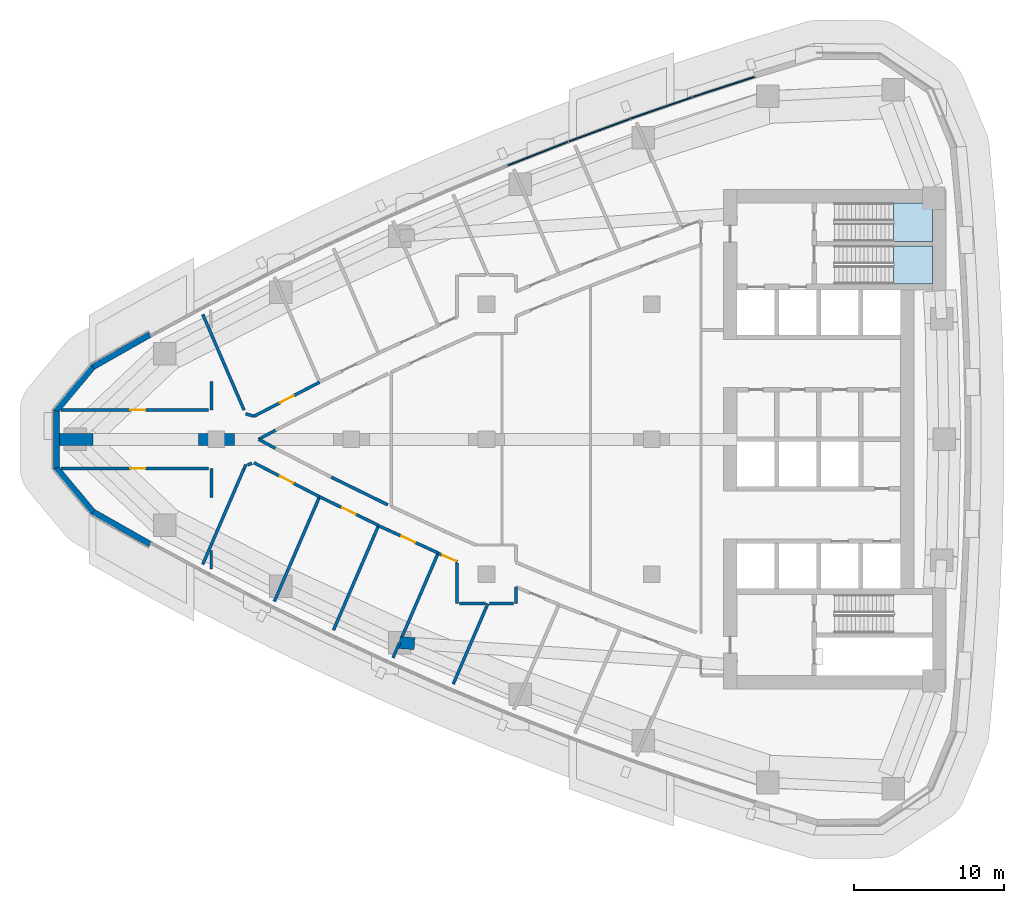
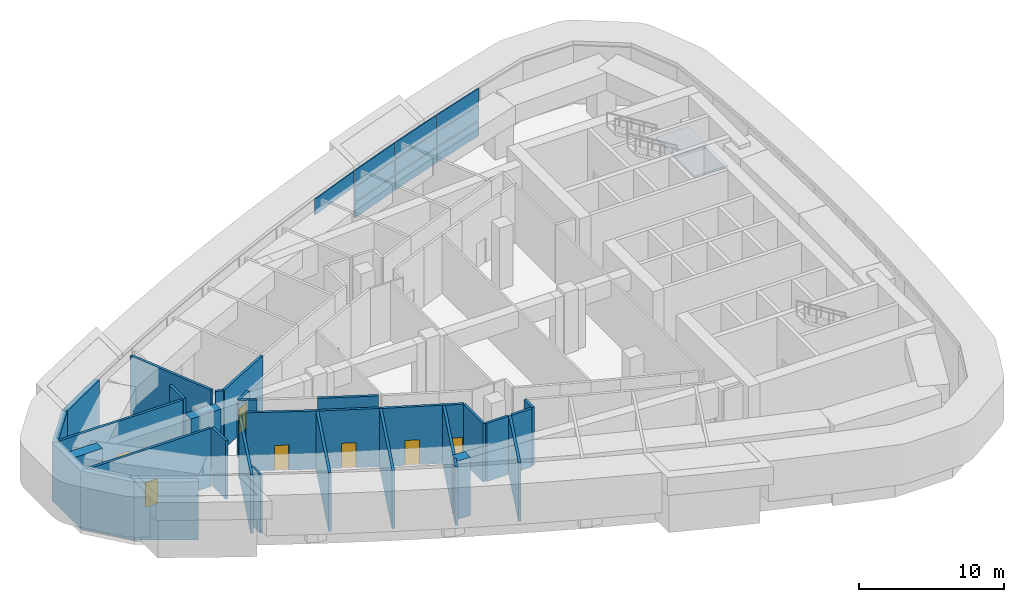
# One storey, part 10 of 18: 35 walls, 10 plates, 7 doors, 2 slabs, 7 openings, 4 elements without a shape of their own.
"""IFC4 building model written with IfcOpenShell, lengths in metres."""

from ifc_helpers import new_model, si_unit, direction, frame, frame_2d, origin, origin_2d, place, context, subcontext, project, spatial, polyline, rectangle, outline, extrude, material, layer, layer_set, type_object, element, fill, aggregate, save


model = new_model("IFC4")

# Units and contexts
model_context = context("Model", 3, precision=1e-05, world=origin(), true_north=direction((0.0, 1.0)))
body_context = subcontext(model_context, "Body", "Model", "MODEL_VIEW")
ifc_project = project(units=[si_unit("LENGTHUNIT", "METRE"), si_unit("AREAUNIT", "SQUARE_METRE"), si_unit("VOLUMEUNIT", "CUBIC_METRE"), si_unit("PLANEANGLEUNIT", "RADIAN"), si_unit("MASSUNIT", "GRAM", prefix="KILO")], contexts=[model_context])

# Site, building, storey
site_placement = place(None, origin())
site = spatial("IfcSite", under=ifc_project, at=site_placement, CompositionType="ELEMENT")
building_placement = place(site_placement, origin())
building = spatial("IfcBuilding", under=site, at=building_placement, Name="Ostrand Prow Hotel Tower", CompositionType="ELEMENT")
storey_placement = place(building_placement, frame((0.0, 0.0, 165.699951171875)))
storey = spatial("IfcBuildingStorey", under=building, at=storey_placement, Name="L41", CompositionType="ELEMENT", Elevation=165.699951171875)

# Curtain wall, plates
ifc_material_1 = material(Name="Insulated glass in bronze anodised frame", Category="glass")
ifc_layer_1 = layer(ifc_material_1, 0.199951171875)
ifc_layer_set_1 = layer_set([ifc_layer_1], Name="Insulated glass in bronze anodised frame")
curtain_wall_type = type_object("IfcCurtainWallType", Name="Plant storey louvre wall", PredefinedType="NOTDEFINED", material=ifc_layer_set_1)
curtain_wall_1_placement = place(storey_placement, origin())
curtain_wall_1 = element("IfcCurtainWall", 1, at=curtain_wall_1_placement, inside=storey, type_object=curtain_wall_type, Name="CW7 run CWN1", PredefinedType="NOTDEFINED")
ifc_material_2 = material(Name="Bronze anodised aluminium louvre", Category="aluminium")
ifc_layer_2 = layer(ifc_material_2, 0.10009765625)
ifc_layer_set_2 = layer_set([ifc_layer_2], Name="Bronze anodised aluminium louvre")
plate_type = type_object("IfcPlateType", Name="Bronze louvre panel 100 mm", PredefinedType="CURTAIN_PANEL", material=ifc_layer_set_2)
plate_1_placement = place(storey_placement, frame((49.803466796875, 23.483154296875, 0.89990234375), z_axis=(0.0, 0.0, 1.0), x_axis=(-0.950938332153, -0.309380491373, 0.0)))
plate_1 = element("IfcPlate", 2, at=plate_1_placement, type_object=plate_type, Name="CW7 PN-V panel 1.1", PredefinedType="CURTAIN_PANEL", context=body_context, shape_type="SweptSolid", body=[
    extrude(rectangle(XDim=4.326171875, YDim=0.10009765625, at=origin_2d()), origin(), (0.0, 0.0, 1.0), 1.239990234375),
])
plate_2_placement = place(storey_placement, frame((49.803466796875, 23.483154296875, 2.26025390625), z_axis=(0.0, 0.0, 1.0), x_axis=(-0.950938332153, -0.309380491373, 0.0)))
plate_2 = element("IfcPlate", 3, at=plate_2_placement, type_object=plate_type, Name="CW7 PN-V panel 1.2", PredefinedType="CURTAIN_PANEL", context=body_context, shape_type="SweptSolid", body=[
    extrude(rectangle(XDim=4.326171875, YDim=0.10009765625, at=origin_2d()), origin(), (0.0, 0.0, 1.0), 1.179931640625),
])
plate_3_placement = place(storey_placement, frame((49.803466796875, 23.483154296875, 3.56005859375), z_axis=(0.0, 0.0, 1.0), x_axis=(-0.950938332153, -0.309380491373, 0.0)))
plate_3 = element("IfcPlate", 4, at=plate_3_placement, type_object=plate_type, Name="CW7 PN-V panel 1.3", PredefinedType="CURTAIN_PANEL", context=body_context, shape_type="SweptSolid", body=[
    extrude(rectangle(XDim=4.326171875, YDim=0.10009765625, at=origin_2d()), origin(), (0.0, 0.0, 1.0), 1.340087890625),
])
plate_4_placement = place(storey_placement, frame((45.646484375, 22.08447265625, 0.89990234375), z_axis=(0.0, 0.0, 1.0), x_axis=(-0.944528947293, -0.328428177424, 0.0)))
plate_4 = element("IfcPlate", 5, at=plate_4_placement, type_object=plate_type, Name="CW7 PN-V panel 2.1", PredefinedType="CURTAIN_PANEL", context=body_context, shape_type="SweptSolid", body=[
    extrude(rectangle(XDim=4.326171875, YDim=0.10009765625, at=origin_2d()), origin(), (0.0, 0.0, 1.0), 1.239990234375),
])
plate_5_placement = place(storey_placement, frame((45.646484375, 22.08447265625, 2.26025390625), z_axis=(0.0, 0.0, 1.0), x_axis=(-0.944528947293, -0.328428177424, 0.0)))
plate_5 = element("IfcPlate", 6, at=plate_5_placement, type_object=plate_type, Name="CW7 PN-V panel 2.2", PredefinedType="CURTAIN_PANEL", context=body_context, shape_type="SweptSolid", body=[
    extrude(rectangle(XDim=4.326171875, YDim=0.10009765625, at=origin_2d()), origin(), (0.0, 0.0, 1.0), 1.179931640625),
])
plate_6_placement = place(storey_placement, frame((45.646484375, 22.08447265625, 3.56005859375), z_axis=(0.0, 0.0, 1.0), x_axis=(-0.944528947293, -0.328428177424, 0.0)))
plate_6 = element("IfcPlate", 7, at=plate_6_placement, type_object=plate_type, Name="CW7 PN-V panel 2.3", PredefinedType="CURTAIN_PANEL", context=body_context, shape_type="SweptSolid", body=[
    extrude(rectangle(XDim=4.326171875, YDim=0.10009765625, at=origin_2d()), origin(), (0.0, 0.0, 1.0), 1.340087890625),
])
aggregate(curtain_wall_1, [plate_1, plate_2, plate_3, plate_4, plate_5, plate_6])

curtain_wall_2_placement = place(storey_placement, origin())
curtain_wall_2 = element("IfcCurtainWall", 8, at=curtain_wall_2_placement, inside=storey, type_object=curtain_wall_type, Name="CW7 run CWN2", PredefinedType="NOTDEFINED")
plate_7_placement = place(storey_placement, frame((41.518798828125, 20.6025390625, 0.89990234375), z_axis=(0.0, 0.0, 1.0), x_axis=(-0.937738678558, -0.347341576459, 0.0)))
plate_7 = element("IfcPlate", 9, at=plate_7_placement, type_object=plate_type, Name="CW7 PN-V panel 1.1", PredefinedType="CURTAIN_PANEL", context=body_context, shape_type="SweptSolid", body=[
    extrude(rectangle(XDim=4.326171875, YDim=0.10009765625, at=origin_2d()), origin(), (0.0, 0.0, 1.0), 1.239990234375),
])
plate_8_placement = place(storey_placement, frame((41.518798828125, 20.6025390625, 2.26025390625), z_axis=(0.0, 0.0, 1.0), x_axis=(-0.937738678558, -0.347341576459, 0.0)))
plate_8 = element("IfcPlate", 10, at=plate_8_placement, type_object=plate_type, Name="CW7 PN-V panel 1.2", PredefinedType="CURTAIN_PANEL", context=body_context, shape_type="SweptSolid", body=[
    extrude(rectangle(XDim=4.326171875, YDim=0.10009765625, at=origin_2d()), origin(), (0.0, 0.0, 1.0), 1.179931640625),
])
plate_9_placement = place(storey_placement, frame((41.518798828125, 20.6025390625, 3.56005859375), z_axis=(0.0, 0.0, 1.0), x_axis=(-0.937738678558, -0.347341576459, 0.0)))
plate_9 = element("IfcPlate", 11, at=plate_9_placement, type_object=plate_type, Name="CW7 PN-V panel 1.3", PredefinedType="CURTAIN_PANEL", context=body_context, shape_type="SweptSolid", body=[
    extrude(rectangle(XDim=4.326171875, YDim=0.10009765625, at=origin_2d()), origin(), (0.0, 0.0, 1.0), 1.340087890625),
])
plate_10_placement = place(storey_placement, frame((37.42138671875, 19.037841796875, 3.56005859375), z_axis=(0.0, 0.0, 1.0), x_axis=(-0.930569089059, -0.366116334636, 0.0)))
plate_10 = element("IfcPlate", 12, at=plate_10_placement, type_object=plate_type, Name="CW7 PN-V panel 2.3", PredefinedType="CURTAIN_PANEL", context=body_context, shape_type="SweptSolid", body=[
    extrude(rectangle(XDim=4.326171875, YDim=0.10009765625, at=origin_2d()), origin(), (0.0, 0.0, 1.0), 1.340087890625),
])
aggregate(curtain_wall_2, [plate_7, plate_8, plate_9, plate_10])

# Stair, slab
ifc_material_3 = material(Name="Concrete C40/50", Category="concrete")
stair_type = type_object("IfcStairType", Name="Exit stair 1200 upper zone", PredefinedType="HALF_TURN_STAIR", material=ifc_material_3)
stair_1_placement = place(storey_placement, origin())
stair_1 = element("IfcStair", 13, at=stair_1_placement, inside=storey, type_object=stair_type, Name="L41 ST1C", PredefinedType="HALF_TURN_STAIR")
ifc_material_4 = material(Name="Concrete C40/50", Category="concrete")
ifc_layer_3 = layer(ifc_material_4, 0.199951171875)
ifc_layer_set_3 = layer_set([ifc_layer_3], Name="Concrete C40/50")
slab_type = type_object("IfcSlabType", Name="Stair landing 200 concrete", PredefinedType="LANDING", material=ifc_layer_set_3)
slab_1_placement = place(storey_placement, frame((0.0, 0.0, 2.400146484375)))
slab_1 = element("IfcSlab", 14, at=slab_1_placement, type_object=slab_type, Name="ST1C landing 1", PredefinedType="LANDING", context=body_context, shape_type="SweptSolid", body=[
    extrude(outline(polyline([(61.1201171875, 10.35009765625), (63.719970703125, 10.35009765625), (63.719970703125, 12.89990234375), (61.1201171875, 12.89990234375), (61.1201171875, 10.35009765625)])), origin(), (0.0, 0.0, 1.0), 0.199951171875),
])
aggregate(stair_1, [slab_1])

stair_2_placement = place(storey_placement, origin())
stair_2 = element("IfcStair", 15, at=stair_2_placement, inside=storey, type_object=stair_type, Name="L41 ST3C", PredefinedType="HALF_TURN_STAIR")
slab_2_placement = place(storey_placement, frame((0.0, 0.0, 2.400146484375)))
slab_2 = element("IfcSlab", 16, at=slab_2_placement, type_object=slab_type, Name="ST3C landing 1", PredefinedType="LANDING", context=body_context, shape_type="SweptSolid", body=[
    extrude(outline(polyline([(61.1201171875, 13.199951171875), (63.719970703125, 13.199951171875), (63.719970703125, 15.75), (61.1201171875, 15.75), (61.1201171875, 13.199951171875)])), origin(), (0.0, 0.0, 1.0), 0.199951171875),
])
aggregate(stair_2, [slab_2])

# Walls
ifc_material_5 = material(Name="Concrete C70/85", Category="concrete")
ifc_layer_4 = layer(ifc_material_5, 0.800048828125)
ifc_layer_set_4 = layer_set([ifc_layer_4], Name="Concrete C70/85")
wall_type_1 = type_object("IfcWallType", Name="Outrigger wall 800 C70/85", PredefinedType="SHEAR", material=ifc_layer_set_4)
wall_1_placement = place(storey_placement, frame((5.380126953125, 0.0, 0.0), z_axis=(0.0, 0.0, 1.0), x_axis=(1.0, 0.0, 0.0)))
element("IfcWall", 17, at=wall_1_placement, inside=storey, type_object=wall_type_1, Name="Outrigger wall A1", PredefinedType="SHEAR", context=body_context, shape_type="SweptSolid", body=[
    extrude(rectangle(XDim=2.400146484375, YDim=0.800048828125, at=frame_2d((1.2001953125, 0.0))), origin(), (0.0, 0.0, 1.0), 4.900146484375),
])
wall_2_placement = place(storey_placement, frame((14.800048828125, 0.0, 0.0), z_axis=(0.0, 0.0, 1.0), x_axis=(1.0, 0.0, 0.0)))
element("IfcWall", 18, at=wall_2_placement, inside=storey, type_object=wall_type_1, Name="Outrigger wall A2", PredefinedType="SHEAR", context=body_context, shape_type="SweptSolid", body=[
    extrude(rectangle(XDim=2.39990234375, YDim=0.800048828125, at=frame_2d((1.199951171875, 0.0))), origin(), (0.0, 0.0, 1.0), 4.900146484375),
])
wall_3_placement = place(storey_placement, frame((29.202880859375, -13.61328125, 0.0), z_axis=(0.0, 0.0, 1.0), x_axis=(-0.99780886022, 0.066162515566, 0.0)))
element("IfcWall", 19, at=wall_3_placement, inside=storey, type_object=wall_type_1, Name="Outrigger wall DS2", PredefinedType="SHEAR", context=body_context, shape_type="SweptSolid", body=[
    extrude(rectangle(XDim=1.0, YDim=0.800048828125, at=frame_2d((0.5, 0.0))), origin(), (0.0, 0.0, 1.0), 4.900146484375),
])
ifc_material_6 = material(Name="Plasterboard partition")
ifc_layer_5 = layer(ifc_material_6, 0.14990234375)
ifc_layer_set_5 = layer_set([ifc_layer_5], Name="Plasterboard partition")
wall_type_2 = type_object("IfcWallType", Name="Partition 150 room partition", PredefinedType="PARTITIONING", material=ifc_layer_set_5)
wall_4_placement = place(storey_placement, frame((15.65869140625, -7.4169921875, 0.0), z_axis=(0.0, 0.0, 1.0), x_axis=(0.0, -1.0, 0.0)))
element("IfcWall", 20, at=wall_4_placement, inside=storey, type_object=wall_type_2, Name="ROOM PARTITION", PredefinedType="PARTITIONING", context=body_context, shape_type="SweptSolid", body=[
    extrude(rectangle(XDim=1.2216796875, YDim=0.14990234375, at=frame_2d((0.61083984375, 0.0))), origin(), (0.0, 0.0, 1.0), 4.900146484375),
])

# Wall, opening, door
ifc_material_7 = material(Name="Plasterboard partition")
ifc_layer_6 = layer(ifc_material_7, 0.199951171875)
ifc_layer_set_6 = layer_set([ifc_layer_6], Name="Plasterboard partition")
wall_type_3 = type_object("IfcWallType", Name="Partition 200 corridor wall", PredefinedType="PARTITIONING", material=ifc_layer_set_6)
wall_5_placement = place(storey_placement, frame((5.654296875, 1.949951171875, 0.0), z_axis=(0.0, 0.0, 1.0), x_axis=(1.0, 0.0, 0.0)))
wall_5 = element("IfcWall", 21, at=wall_5_placement, inside=storey, type_object=wall_type_3, Name="CORRIDOR WALL", PredefinedType="PARTITIONING", context=body_context, shape_type="SweptSolid", body=[
    extrude(rectangle(XDim=9.804443359375, YDim=0.199951171875, at=frame_2d((4.90234375, 0.0))), origin(), (0.0, 0.0, 1.0), 4.900146484375),
])
opening_1_placement = place(wall_5_placement, frame((4.618408203125, 0.0, 0.0)))
opening_1 = element("IfcOpeningElement", 22, at=opening_1_placement, cuts=wall_5, Name="Opening D1", PredefinedType="OPENING", context=body_context, shape_type="SweptSolid", body=[
    extrude(rectangle(XDim=1.0, YDim=2.10009765625, at=frame_2d((0.5, 1.050048828125))), frame((0.0, 0.10986328125, 0.0), z_axis=(0.0, -1.0, 0.0), x_axis=(1.0, 0.0, 0.0)), (0.0, 0.0, 1.0), 0.219970703125),
])
ifc_material_8 = material(Name="Timber door leaf", Category="wood")
door_type_1 = type_object("IfcDoorType", Name="Guest room door 1000", OperationType="SINGLE_SWING_LEFT", PredefinedType="DOOR", material=ifc_material_8)
door_1_placement = place(opening_1_placement, origin())
door_1 = element("IfcDoor", 23, at=door_1_placement, inside=storey, type_object=door_type_1, Name="DOOR", OperationType="SINGLE_SWING_LEFT", OverallHeight=2.10009765625, OverallWidth=1.0, PredefinedType="DOOR", context=body_context, shape_type="SweptSolid", body=[
    extrude(rectangle(XDim=1.0, YDim=2.10009765625, at=frame_2d((0.5, 1.050048828125))), frame((0.0, 0.02490234375, 0.0), z_axis=(0.0, -1.0, 0.0), x_axis=(1.0, 0.0, 0.0)), (0.0, 0.0, 1.0), 0.050048828125),
])
fill(opening_1, door_1)

wall_6_placement = place(storey_placement, frame((5.654296875, -1.949951171875, 0.0), z_axis=(0.0, 0.0, 1.0), x_axis=(1.0, 0.0, 0.0)))
wall_6 = element("IfcWall", 24, at=wall_6_placement, inside=storey, type_object=wall_type_3, Name="CORRIDOR WALL", PredefinedType="PARTITIONING", context=body_context, shape_type="SweptSolid", body=[
    extrude(rectangle(XDim=9.804443359375, YDim=0.199951171875, at=frame_2d((4.90234375, 0.0))), origin(), (0.0, 0.0, 1.0), 4.900146484375),
])
opening_2_placement = place(wall_6_placement, frame((4.618408203125, 0.0, 0.0)))
opening_2 = element("IfcOpeningElement", 25, at=opening_2_placement, cuts=wall_6, Name="Opening D1R", PredefinedType="OPENING", context=body_context, shape_type="SweptSolid", body=[
    extrude(rectangle(XDim=1.0, YDim=2.10009765625, at=frame_2d((0.5, 1.050048828125))), frame((0.0, 0.10986328125, 0.0), z_axis=(0.0, -1.0, 0.0), x_axis=(1.0, 0.0, 0.0)), (0.0, 0.0, 1.0), 0.219970703125),
])
ifc_material_9 = material(Name="Timber door leaf", Category="wood")
door_type_2 = type_object("IfcDoorType", Name="Guest room door 1000 right", OperationType="SINGLE_SWING_RIGHT", PredefinedType="DOOR", material=ifc_material_9)
door_2_placement = place(opening_2_placement, origin())
door_2 = element("IfcDoor", 26, at=door_2_placement, inside=storey, type_object=door_type_2, Name="DOOR", OperationType="SINGLE_SWING_RIGHT", OverallHeight=2.10009765625, OverallWidth=1.0, PredefinedType="DOOR", context=body_context, shape_type="SweptSolid", body=[
    extrude(rectangle(XDim=1.0, YDim=2.10009765625, at=frame_2d((0.5, 1.050048828125))), frame((0.0, 0.02490234375, 0.0), z_axis=(0.0, -1.0, 0.0), x_axis=(1.0, 0.0, 0.0)), (0.0, 0.0, 1.0), 0.050048828125),
])
fill(opening_2, door_2)

wall_7_placement = place(storey_placement, frame((18.5, 1.535400390625, 0.0), z_axis=(0.0, 0.0, 1.0), x_axis=(0.887595692798, 0.460623366891, 0.0)))
wall_7 = element("IfcWall", 27, at=wall_7_placement, inside=storey, type_object=wall_type_3, Name="CORRIDOR WALL", PredefinedType="PARTITIONING", context=body_context, shape_type="SweptSolid", body=[
    extrude(rectangle(XDim=4.933349609375, YDim=0.199951171875, at=frame_2d((2.466796875, 0.0))), origin(), (0.0, 0.0, 1.0), 4.900146484375),
])
opening_3_placement = place(wall_7_placement, frame((1.966796875, 0.0, 0.0)))
opening_3 = element("IfcOpeningElement", 28, at=opening_3_placement, cuts=wall_7, Name="Opening D1", PredefinedType="OPENING", context=body_context, shape_type="SweptSolid", body=[
    extrude(rectangle(XDim=1.0, YDim=2.10009765625, at=frame_2d((0.5, 1.050048828125))), frame((0.0, 0.10986328125, 0.0), z_axis=(0.0, -1.0, 0.0), x_axis=(1.0, 0.0, 0.0)), (0.0, 0.0, 1.0), 0.219970703125),
])
door_3_placement = place(opening_3_placement, origin())
door_3 = element("IfcDoor", 29, at=door_3_placement, inside=storey, type_object=door_type_1, Name="DOOR", OperationType="SINGLE_SWING_LEFT", OverallHeight=2.10009765625, OverallWidth=1.0, PredefinedType="DOOR", context=body_context, shape_type="SweptSolid", body=[
    extrude(rectangle(XDim=1.0, YDim=2.10009765625, at=frame_2d((0.5, 1.050048828125))), frame((0.0, 0.02490234375, 0.0), z_axis=(0.0, -1.0, 0.0), x_axis=(1.0, 0.0, 0.0)), (0.0, 0.0, 1.0), 0.050048828125),
])
fill(opening_3, door_3)

wall_8_placement = place(storey_placement, frame((18.5, -1.55810546875, 0.0), z_axis=(0.0, 0.0, 1.0), x_axis=(0.887623934434, -0.460568942744, 0.0)))
wall_8 = element("IfcWall", 30, at=wall_8_placement, inside=storey, type_object=wall_type_3, Name="CORRIDOR WALL", PredefinedType="PARTITIONING", context=body_context, shape_type="SweptSolid", body=[
    extrude(rectangle(XDim=4.924560546875, YDim=0.199951171875, at=frame_2d((2.46240234375, 0.0))), origin(), (0.0, 0.0, 1.0), 4.900146484375),
])
opening_4_placement = place(wall_8_placement, frame((1.962158203125, 0.0, 0.0)))
opening_4 = element("IfcOpeningElement", 31, at=opening_4_placement, cuts=wall_8, Name="Opening D1", PredefinedType="OPENING", context=body_context, shape_type="SweptSolid", body=[
    extrude(rectangle(XDim=1.0, YDim=2.10009765625, at=frame_2d((0.5, 1.050048828125))), frame((0.0, 0.10986328125, 0.0), z_axis=(0.0, -1.0, 0.0), x_axis=(1.0, 0.0, 0.0)), (0.0, 0.0, 1.0), 0.219970703125),
])
door_4_placement = place(opening_4_placement, origin())
door_4 = element("IfcDoor", 32, at=door_4_placement, inside=storey, type_object=door_type_1, Name="DOOR", OperationType="SINGLE_SWING_LEFT", OverallHeight=2.10009765625, OverallWidth=1.0, PredefinedType="DOOR", context=body_context, shape_type="SweptSolid", body=[
    extrude(rectangle(XDim=1.0, YDim=2.10009765625, at=frame_2d((0.5, 1.050048828125))), frame((0.0, 0.02490234375, 0.0), z_axis=(0.0, -1.0, 0.0), x_axis=(1.0, 0.0, 0.0)), (0.0, 0.0, 1.0), 0.050048828125),
])
fill(opening_4, door_4)

wall_9_placement = place(storey_placement, frame((22.87109375, -3.826171875, 0.0), z_axis=(0.0, 0.0, 1.0), x_axis=(0.899988502444, -0.435913633038, 0.0)))
wall_9 = element("IfcWall", 33, at=wall_9_placement, inside=storey, type_object=wall_type_3, Name="CORRIDOR WALL", PredefinedType="PARTITIONING", context=body_context, shape_type="SweptSolid", body=[
    extrude(rectangle(XDim=4.3779296875, YDim=0.199951171875, at=frame_2d((2.18896484375, 0.0))), origin(), (0.0, 0.0, 1.0), 4.900146484375),
])
opening_5_placement = place(wall_9_placement, frame((1.68896484375, 0.0, 0.0)))
opening_5 = element("IfcOpeningElement", 34, at=opening_5_placement, cuts=wall_9, Name="Opening D1R", PredefinedType="OPENING", context=body_context, shape_type="SweptSolid", body=[
    extrude(rectangle(XDim=1.0, YDim=2.10009765625, at=frame_2d((0.5, 1.050048828125))), frame((0.0, 0.10986328125, 0.0), z_axis=(0.0, -1.0, 0.0), x_axis=(1.0, 0.0, 0.0)), (0.0, 0.0, 1.0), 0.219970703125),
])
door_5_placement = place(opening_5_placement, origin())
door_5 = element("IfcDoor", 35, at=door_5_placement, inside=storey, type_object=door_type_2, Name="DOOR", OperationType="SINGLE_SWING_RIGHT", OverallHeight=2.10009765625, OverallWidth=1.0, PredefinedType="DOOR", context=body_context, shape_type="SweptSolid", body=[
    extrude(rectangle(XDim=1.0, YDim=2.10009765625, at=frame_2d((0.5, 1.050048828125))), frame((0.0, 0.02490234375, 0.0), z_axis=(0.0, -1.0, 0.0), x_axis=(1.0, 0.0, 0.0)), (0.0, 0.0, 1.0), 0.050048828125),
])
fill(opening_5, door_5)

wall_10_placement = place(storey_placement, frame((26.80322265625, -5.7529296875, 0.0), z_axis=(0.0, 0.0, 1.0), x_axis=(0.90910092787, -0.416575926987, 0.0)))
wall_10 = element("IfcWall", 36, at=wall_10_placement, inside=storey, type_object=wall_type_3, Name="CORRIDOR WALL", PredefinedType="PARTITIONING", context=body_context, shape_type="SweptSolid", body=[
    extrude(rectangle(XDim=4.375, YDim=0.199951171875, at=frame_2d((2.1875, 0.0))), origin(), (0.0, 0.0, 1.0), 4.900146484375),
])
opening_6_placement = place(wall_10_placement, frame((1.6875, 0.0, 0.0)))
opening_6 = element("IfcOpeningElement", 37, at=opening_6_placement, cuts=wall_10, Name="Opening D1", PredefinedType="OPENING", context=body_context, shape_type="SweptSolid", body=[
    extrude(rectangle(XDim=1.0, YDim=2.10009765625, at=frame_2d((0.5, 1.050048828125))), frame((0.0, 0.10986328125, 0.0), z_axis=(0.0, -1.0, 0.0), x_axis=(1.0, 0.0, 0.0)), (0.0, 0.0, 1.0), 0.219970703125),
])
door_6_placement = place(opening_6_placement, origin())
door_6 = element("IfcDoor", 38, at=door_6_placement, inside=storey, type_object=door_type_1, Name="DOOR", OperationType="SINGLE_SWING_LEFT", OverallHeight=2.10009765625, OverallWidth=1.0, PredefinedType="DOOR", context=body_context, shape_type="SweptSolid", body=[
    extrude(rectangle(XDim=1.0, YDim=2.10009765625, at=frame_2d((0.5, 1.050048828125))), frame((0.0, 0.02490234375, 0.0), z_axis=(0.0, -1.0, 0.0), x_axis=(1.0, 0.0, 0.0)), (0.0, 0.0, 1.0), 0.050048828125),
])
fill(opening_6, door_6)

wall_11_placement = place(storey_placement, frame((30.7724609375, -7.593994140625, 0.0), z_axis=(0.0, 0.0, 1.0), x_axis=(0.915155082005, -0.403101942293, 0.0)))
wall_11 = element("IfcWall", 39, at=wall_11_placement, inside=storey, type_object=wall_type_3, Name="CORRIDOR WALL", PredefinedType="PARTITIONING", context=body_context, shape_type="SweptSolid", body=[
    extrude(rectangle(XDim=1.39599609375, YDim=0.199951171875, at=frame_2d((0.697998046875, 0.0))), origin(), (0.0, 0.0, 1.0), 4.900146484375),
])
opening_7_placement = place(wall_11_placement, frame((0.300048828125, 0.0, 0.0)))
opening_7 = element("IfcOpeningElement", 40, at=opening_7_placement, cuts=wall_11, Name="Opening D1R", PredefinedType="OPENING", context=body_context, shape_type="SweptSolid", body=[
    extrude(rectangle(XDim=1.0, YDim=2.10009765625, at=frame_2d((0.5, 1.050048828125))), frame((0.0, 0.10986328125, 0.0), z_axis=(0.0, -1.0, 0.0), x_axis=(1.0, 0.0, 0.0)), (0.0, 0.0, 1.0), 0.219970703125),
])
door_7_placement = place(opening_7_placement, origin())
door_7 = element("IfcDoor", 41, at=door_7_placement, inside=storey, type_object=door_type_2, Name="DOOR", OperationType="SINGLE_SWING_RIGHT", OverallHeight=2.10009765625, OverallWidth=1.0, PredefinedType="DOOR", context=body_context, shape_type="SweptSolid", body=[
    extrude(rectangle(XDim=1.0, YDim=2.10009765625, at=frame_2d((0.5, 1.050048828125))), frame((0.0, 0.02490234375, 0.0), z_axis=(0.0, -1.0, 0.0), x_axis=(1.0, 0.0, 0.0)), (0.0, 0.0, 1.0), 0.050048828125),
])
fill(opening_7, door_7)

# Walls
wall_12_placement = place(storey_placement, frame((27.4267578125, -4.36669921875, 0.0), z_axis=(0.0, 0.0, 1.0), x_axis=(-0.898143384422, 0.43970269617, 0.0)))
element("IfcWall", 42, at=wall_12_placement, inside=storey, type_object=wall_type_3, Name="CORRIDOR WALL", PredefinedType="PARTITIONING", context=body_context, shape_type="SweptSolid", body=[
    extrude(rectangle(XDim=4.1953125, YDim=0.199951171875, at=frame_2d((2.09765625, 0.0))), origin(), (0.0, 0.0, 1.0), 4.900146484375),
])
for number, where, z_axis, x_axis, name in (
    (43, (19.928466796875, -0.60205078125, 0.0), (0.0, 0.0, 1.0), (-0.879832865766, 0.475283208538, 0.0), "CORRIDOR WALL"),
    (44, (18.81396484375, 0.0, 0.0), (0.0, 0.0, 1.0), (0.879832865766, 0.475283208538, 0.0), "CORRIDOR WALL"),
):
    element("IfcWall", number, at=place(storey_placement, frame(where, z_axis=z_axis, x_axis=x_axis)), inside=storey, type_object=wall_type_3, Name=name, PredefinedType="PARTITIONING", context=body_context, shape_type="SweptSolid", body=[
        extrude(rectangle(XDim=1.2666015625, YDim=0.199951171875, at=frame_2d((0.63330078125, 0.0))), origin(), (0.0, 0.0, 1.0), 4.900146484375),
    ])
wall_13_placement = place(storey_placement, frame((15.65869140625, 3.870849609375, 0.0), z_axis=(0.0, 0.0, 1.0), x_axis=(0.0, -1.0, 0.0)))
element("IfcWall", 45, at=wall_13_placement, inside=storey, type_object=wall_type_3, Name="CORRIDOR WALL", PredefinedType="PARTITIONING", context=body_context, shape_type="SweptSolid", body=[
    extrude(rectangle(XDim=1.915771484375, YDim=0.199951171875, at=frame_2d((0.9580078125, 0.0))), origin(), (0.0, 0.0, 1.0), 4.900146484375),
])
wall_14_placement = place(storey_placement, frame((15.65869140625, -1.955078125, 0.0), z_axis=(0.0, 0.0, 1.0), x_axis=(0.0, -1.0, 0.0)))
element("IfcWall", 46, at=wall_14_placement, inside=storey, type_object=wall_type_3, Name="CORRIDOR WALL", PredefinedType="PARTITIONING", context=body_context, shape_type="SweptSolid", body=[
    extrude(rectangle(XDim=1.921630859375, YDim=0.199951171875, at=frame_2d((0.9609375, 0.0))), origin(), (0.0, 0.0, 1.0), 4.900146484375),
])
wall_15_placement = place(storey_placement, frame((18.5, 1.535400390625, 0.0), z_axis=(0.0, 0.0, 1.0), x_axis=(-0.954783943837, 0.297300555989, 0.0)))
element("IfcWall", 47, at=wall_15_placement, inside=storey, type_object=wall_type_3, Name="CORRIDOR WALL", PredefinedType="PARTITIONING", context=body_context, shape_type="SweptSolid", body=[
    extrude(rectangle(XDim=0.57080078125, YDim=0.199951171875, at=frame_2d((0.285400390625, 0.0))), origin(), (0.0, 0.0, 1.0), 4.900146484375),
])
wall_16_placement = place(storey_placement, frame((17.84228515625, -1.949951171875, 0.0), z_axis=(0.0, 0.0, 1.0), x_axis=(0.417658437585, 0.908604110443, 0.0)))
element("IfcWall", 48, at=wall_16_placement, inside=storey, type_object=wall_type_3, Name="CORRIDOR WALL", PredefinedType="PARTITIONING", context=body_context, shape_type="SweptSolid", body=[
    extrude(rectangle(XDim=0.309814453125, YDim=0.199951171875, at=frame_2d((0.15478515625, 0.0))), origin(), (0.0, 0.0, 1.0), 4.900146484375),
])
wall_17_placement = place(storey_placement, frame((18.074951171875, -1.705078125, 0.0), z_axis=(0.0, 0.0, 1.0), x_axis=(0.944939525269, 0.327245005437, 0.0)))
element("IfcWall", 49, at=wall_17_placement, inside=storey, type_object=wall_type_3, Name="CORRIDOR WALL", PredefinedType="PARTITIONING", context=body_context, shape_type="SweptSolid", body=[
    extrude(rectangle(XDim=0.311767578125, YDim=0.199951171875, at=frame_2d((0.15576171875, 0.0))), origin(), (0.0, 0.0, 1.0), 4.900146484375),
])
wall_18_placement = place(storey_placement, frame((32.0498046875, -8.23681640625, 0.0), z_axis=(0.0, 0.0, 1.0), x_axis=(-0.001258086711, -0.999999208609, 0.0)))
element("IfcWall", 50, at=wall_18_placement, inside=storey, type_object=wall_type_3, Name="CORRIDOR WALL", PredefinedType="PARTITIONING", context=body_context, shape_type="SweptSolid", body=[
    extrude(rectangle(XDim=2.716796875, YDim=0.199951171875, at=frame_2d((1.3583984375, 0.0))), origin(), (0.0, 0.0, 1.0), 4.900146484375),
])
wall_19_placement = place(storey_placement, frame((35.952880859375, -10.9541015625, 0.0), z_axis=(0.0, 0.0, 1.0), x_axis=(-0.00262983969, 0.999996541966, 0.0)))
element("IfcWall", 51, at=wall_19_placement, inside=storey, type_object=wall_type_3, Name="CORRIDOR WALL", PredefinedType="PARTITIONING", context=body_context, shape_type="SweptSolid", body=[
    extrude(rectangle(XDim=1.114013671875, YDim=0.199951171875, at=frame_2d((0.55712890625, 0.0))), origin(), (0.0, 0.0, 1.0), 4.900146484375),
])
ifc_material_10 = material(Name="Plasterboard partition")
ifc_layer_7 = layer(ifc_material_10, 0.199951171875)
ifc_layer_set_7 = layer_set([ifc_layer_7], Name="Plasterboard partition")
wall_type_4 = type_object("IfcWallType", Name="Partition 200 key partition", PredefinedType="PARTITIONING", material=ifc_layer_set_7)
for number, where, z_axis, x_axis, name in (
    (52, (17.84228515625, 1.949951171875, 0.0), (0.0, 0.0, 1.0), (-0.39602548425, 0.918239519855, 0.0), "KEY PARTITION"),
    (53, (15.090087890625, -8.331298828125, 0.0), (0.0, 0.0, 1.0), (0.39602548425, 0.918239519855, 0.0), "KEY PARTITION"),
):
    element("IfcWall", number, at=place(storey_placement, frame(where, z_axis=z_axis, x_axis=x_axis)), inside=storey, type_object=wall_type_4, Name=name, PredefinedType="PARTITIONING", context=body_context, shape_type="SweptSolid", body=[
        extrude(rectangle(XDim=6.949462890625, YDim=0.199951171875, at=frame_2d((3.474609375, 0.0))), origin(), (0.0, 0.0, 1.0), 4.900146484375),
    ])
wall_20_placement = place(storey_placement, frame((19.864990234375, -10.796875, 0.0), z_axis=(0.0, 0.0, 1.0), x_axis=(0.395985583575, 0.918256727501, 0.0)))
element("IfcWall", 54, at=wall_20_placement, inside=storey, type_object=wall_type_4, Name="KEY PARTITION", PredefinedType="PARTITIONING", context=body_context, shape_type="SweptSolid", body=[
    extrude(rectangle(XDim=7.611083984375, YDim=0.199951171875, at=frame_2d((3.8056640625, 0.0))), origin(), (0.0, 0.0, 1.0), 4.900146484375),
])
wall_21_placement = place(storey_placement, frame((23.800537109375, -12.716064453125, 0.0), z_axis=(0.0, 0.0, 1.0), x_axis=(0.395995556294, 0.918252426839, 0.0)))
element("IfcWall", 55, at=wall_21_placement, inside=storey, type_object=wall_type_4, Name="KEY PARTITION", PredefinedType="PARTITIONING", context=body_context, shape_type="SweptSolid", body=[
    extrude(rectangle(XDim=7.60302734375, YDim=0.199951171875, at=frame_2d((3.801513671875, 0.0))), origin(), (0.0, 0.0, 1.0), 4.900146484375),
])
wall_22_placement = place(storey_placement, frame((27.770751953125, -14.554443359375, 0.0), z_axis=(0.0, 0.0, 1.0), x_axis=(0.395851994879, 0.918314324265, 0.0)))
element("IfcWall", 56, at=wall_22_placement, inside=storey, type_object=wall_type_4, Name="KEY PARTITION", PredefinedType="PARTITIONING", context=body_context, shape_type="SweptSolid", body=[
    extrude(rectangle(XDim=1.09716796875, YDim=0.199951171875, at=frame_2d((0.548583984375, 0.0))), origin(), (0.0, 0.0, 1.0), 4.900146484375),
])
wall_23_placement = place(storey_placement, frame((28.373291015625, -13.1572265625, 0.0), z_axis=(0.0, 0.0, 1.0), x_axis=(0.39600745092, 0.9182472972, 0.0)))
element("IfcWall", 57, at=wall_23_placement, inside=storey, type_object=wall_type_4, Name="KEY PARTITION", PredefinedType="PARTITIONING", context=body_context, shape_type="SweptSolid", body=[
    extrude(rectangle(XDim=6.078857421875, YDim=0.199951171875, at=frame_2d((3.03955078125, 0.0))), origin(), (0.0, 0.0, 1.0), 4.900146484375),
])
wall_24_placement = place(storey_placement, frame((31.778564453125, -16.3134765625, 0.0), z_axis=(0.0, 0.0, 1.0), x_axis=(0.395991607501, 0.918254129742, 0.0)))
element("IfcWall", 58, at=wall_24_placement, inside=storey, type_object=wall_type_4, Name="KEY PARTITION", PredefinedType="PARTITIONING", context=body_context, shape_type="SweptSolid", body=[
    extrude(rectangle(XDim=5.841064453125, YDim=0.199951171875, at=frame_2d((2.92041015625, 0.0))), origin(), (0.0, 0.0, 1.0), 4.900146484375),
])
wall_25_placement = place(storey_placement, frame((33.927490234375, -10.951904296875, 0.0), z_axis=(0.0, 0.0, 1.0), x_axis=(-0.999999512614, 0.000987305584, 0.0)))
element("IfcWall", 59, at=wall_25_placement, inside=storey, type_object=wall_type_4, Name="KEY PARTITION", PredefinedType="PARTITIONING", context=body_context, shape_type="SweptSolid", body=[
    extrude(rectangle(XDim=1.73095703125, YDim=0.199951171875, at=frame_2d((0.865478515625, 0.0))), origin(), (0.0, 0.0, 1.0), 4.900146484375),
])
wall_26_placement = place(storey_placement, frame((35.802734375, -10.95361328125, 0.0), z_axis=(0.0, 0.0, 1.0), x_axis=(-0.999999573702, 0.000923360641, 0.0)))
element("IfcWall", 60, at=wall_26_placement, inside=storey, type_object=wall_type_4, Name="KEY PARTITION", PredefinedType="PARTITIONING", context=body_context, shape_type="SweptSolid", body=[
    extrude(rectangle(XDim=1.58642578125, YDim=0.199951171875, at=frame_2d((0.793212890625, 0.0))), origin(), (0.0, 0.0, 1.0), 4.900146484375),
])
ifc_material_11 = material(Name="Precast concrete C40/50", Category="concrete")
ifc_layer_8 = layer(ifc_material_11, 0.39990234375)
ifc_layer_set_8 = layer_set([ifc_layer_8], Name="Precast concrete C40/50")
wall_type_5 = type_object("IfcWallType", Name="Stone-faced precast wall 400 mm", PredefinedType="NOTDEFINED", material=ifc_layer_set_8)
wall_27_placement = place(storey_placement, frame((11.594482421875, 6.996826171875, 0.0), z_axis=(0.0, 0.0, 1.0), x_axis=(-0.870045255208, -0.492971859125, 0.0)))
element("IfcWall", 61, at=wall_27_placement, inside=storey, type_object=wall_type_5, Name="Stone-faced wall prow 1", PredefinedType="NOTDEFINED", context=body_context, shape_type="SweptSolid", body=[
    extrude(outline(polyline([(0.0, -0.199951171875), (4.424072265625, -0.199951171875), (4.351806640625, 0.199951171875), (0.0, 0.199951171875), (0.0, -0.199951171875)])), origin(), (0.0, 0.0, 1.0), 4.900146484375),
])
wall_28_placement = place(storey_placement, frame((7.77685546875, 4.833740234375, 0.0), z_axis=(0.0, 0.0, 1.0), x_axis=(-0.641787918235, -0.766882173484, 0.0)))
element("IfcWall", 62, at=wall_28_placement, inside=storey, type_object=wall_type_5, Name="Stone-faced wall prow 2", PredefinedType="NOTDEFINED", context=body_context, shape_type="SweptSolid", body=[
    extrude(outline(polyline([(-0.0361328125, -0.199951171875), (3.887939453125, -0.199951171875), (3.742919921875, 0.199951171875), (0.0361328125, 0.199951171875), (-0.0361328125, -0.199951171875)])), origin(), (0.0, 0.0, 1.0), 4.900146484375),
])
wall_29_placement = place(storey_placement, frame((5.328125, 1.90771484375, 0.0), z_axis=(0.0, 0.0, 1.0), x_axis=(0.0, -1.0, 0.0)))
element("IfcWall", 63, at=wall_29_placement, inside=storey, type_object=wall_type_5, Name="Stone-faced wall prow 3", PredefinedType="NOTDEFINED", context=body_context, shape_type="SweptSolid", body=[
    extrude(outline(polyline([(-0.072509765625, -0.199951171875), (3.887939453125, -0.199951171875), (3.742919921875, 0.199951171875), (0.072509765625, 0.199951171875), (-0.072509765625, -0.199951171875)])), origin(), (0.0, 0.0, 1.0), 4.900146484375),
])
wall_30_placement = place(storey_placement, frame((5.328125, -1.90771484375, 0.0), z_axis=(0.0, 0.0, 1.0), x_axis=(0.641787918235, -0.766882173484, 0.0)))
element("IfcWall", 64, at=wall_30_placement, inside=storey, type_object=wall_type_5, Name="Stone-faced wall prow 4", PredefinedType="NOTDEFINED", context=body_context, shape_type="SweptSolid", body=[
    extrude(outline(polyline([(-0.072509765625, -0.199951171875), (3.8515625, -0.199951171875), (3.779296875, 0.199951171875), (0.072509765625, 0.199951171875), (-0.072509765625, -0.199951171875)])), origin(), (0.0, 0.0, 1.0), 4.900146484375),
])
wall_31_placement = place(storey_placement, frame((7.77685546875, -4.833740234375, 0.0), z_axis=(0.0, 0.0, 1.0), x_axis=(0.870045255208, -0.492971859125, 0.0)))
element("IfcWall", 65, at=wall_31_placement, inside=storey, type_object=wall_type_5, Name="Stone-faced wall prow 5", PredefinedType="NOTDEFINED", context=body_context, shape_type="SweptSolid", body=[
    extrude(outline(polyline([(-0.0361328125, -0.199951171875), (4.387939453125, -0.199951171875), (4.387939453125, 0.199951171875), (0.0361328125, 0.199951171875), (-0.0361328125, -0.199951171875)])), origin(), (0.0, 0.0, 1.0), 4.900146484375),
])

save(model, "model.ifc")
